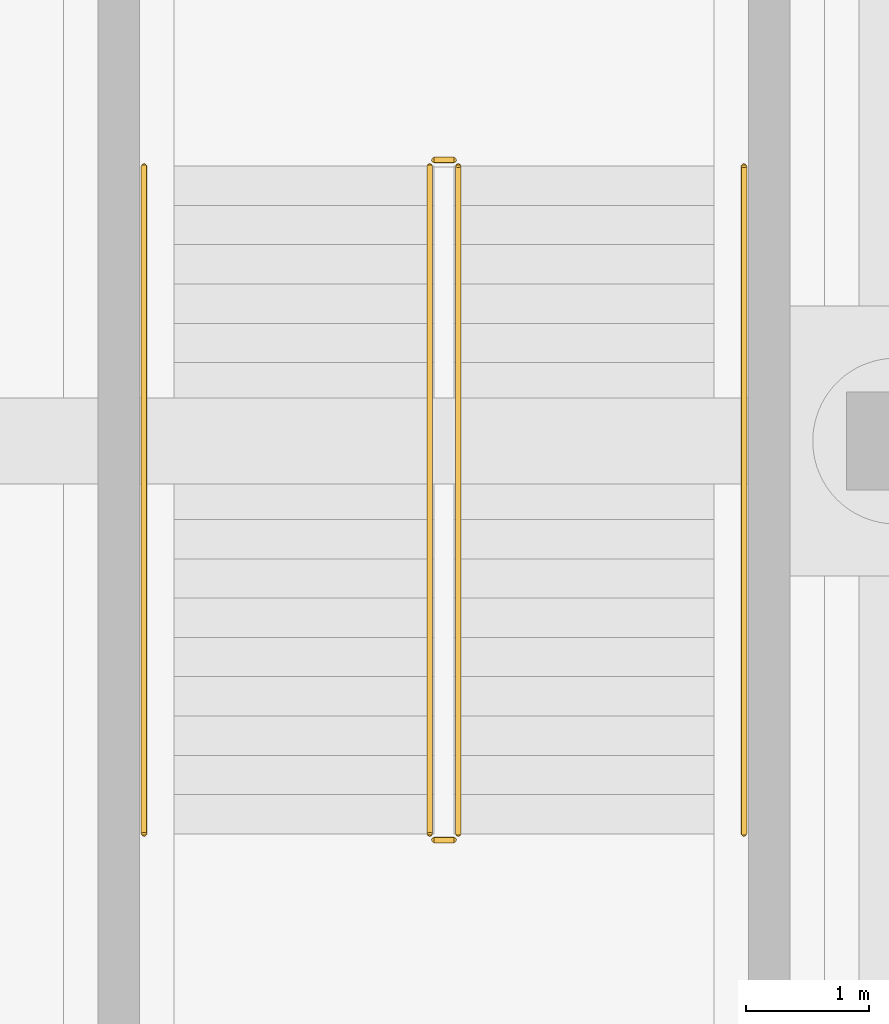
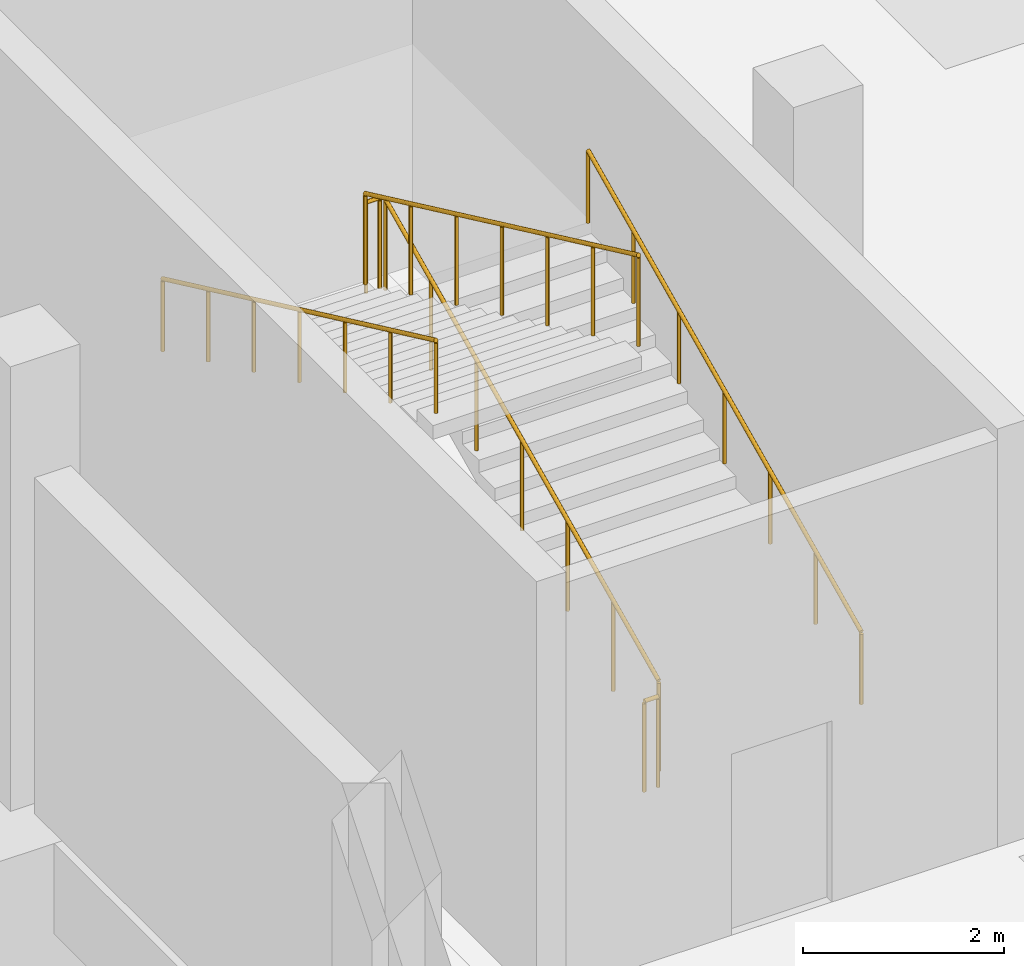
# One storey, part 34 of 39: 6 railings.
"""IFC4 building model written with IfcOpenShell, lengths in metres."""

from ifc_helpers import new_model, si_unit, direction, frame, origin, origin_2d, place, context, subcontext, project, spatial, circle, extrude, material, layer, layer_set, type_object, element, save


model = new_model("IFC4")

# Units and contexts
model_context = context("Model", 3, precision=1e-05, world=origin(), true_north=direction((0.0, 1.0)))
body_context = subcontext(model_context, "Body", "Model", "MODEL_VIEW")
ifc_project = project(units=[si_unit("LENGTHUNIT", "METRE"), si_unit("AREAUNIT", "SQUARE_METRE"), si_unit("VOLUMEUNIT", "CUBIC_METRE"), si_unit("PLANEANGLEUNIT", "RADIAN"), si_unit("MASSUNIT", "GRAM", prefix="KILO")], contexts=[model_context])

# Site, building, storey
site_placement = place(None, origin())
site = spatial("IfcSite", under=ifc_project, at=site_placement, CompositionType="ELEMENT")
building_placement = place(site_placement, origin())
building = spatial("IfcBuilding", under=site, at=building_placement, Name="Celestram Park Convention Centre", CompositionType="ELEMENT")
storey_placement = place(building_placement, frame((0.0, 0.0, -5.39990234375)))
storey = spatial("IfcBuildingStorey", under=building, at=storey_placement, Name="B1", CompositionType="ELEMENT", Elevation=-5.39990234375)

# Railings
ifc_material_1 = material(Name="Stainless Steel AISI 316L & Laminated Glass", Category="steel")
ifc_layer_1 = layer(ifc_material_1, 0.06005859375)
ifc_layer_set_1 = layer_set([ifc_layer_1], Name="Stainless Steel AISI 316L & Laminated Glass")
railing_type_1 = type_object("IfcRailingType", Name="ARC-RL-GRD1120", PredefinedType="GUARDRAIL", material=ifc_layer_set_1)
railing_1_placement = place(storey_placement, frame((149.43603515625, 18.39990234375, 0.14990234375)))
element("IfcRailing", 1, at=railing_1_placement, inside=storey, type_object=railing_type_1, Name="B1 ST-06 stair guard 1", PredefinedType="GUARDRAIL", context=body_context, shape_type="SweptSolid", body=[
    extrude(circle(Radius=0.02392578125, at=origin_2d()), frame((0.0, 0.0, 1.09619140625), z_axis=(0.0, 0.905461375974, 0.424428670827), x_axis=(-1.0, 0.0, 0.0)), (0.0, 0.0, 1.0), 6.00830078125),
    extrude(circle(Radius=0.02099609375, at=origin_2d()), origin(), (0.0, 0.0, 1.0), 1.072021484375),
    extrude(circle(Radius=0.02099609375, at=origin_2d()), frame((0.0, 0.90673828125, 0.425048828125)), (0.0, 0.0, 1.0), 1.072021484375),
    extrude(circle(Radius=0.02099609375, at=origin_2d()), frame((0.0, 1.8134765625, 0.85009765625)), (0.0, 0.0, 1.0), 1.072021484375),
    extrude(circle(Radius=0.02099609375, at=origin_2d()), frame((0.0, 2.72021484375, 1.27490234375)), (0.0, 0.0, 1.0), 1.072021484375),
    extrude(circle(Radius=0.02099609375, at=origin_2d()), frame((0.0, 3.626708984375, 1.699951171875)), (0.0, 0.0, 1.0), 1.072021484375),
    extrude(circle(Radius=0.02099609375, at=origin_2d()), frame((0.0, 4.533447265625, 2.125)), (0.0, 0.0, 1.0), 1.072021484375),
    extrude(circle(Radius=0.02099609375, at=origin_2d()), frame((0.0, 5.440185546875, 2.550048828125)), (0.0, 0.0, 1.0), 1.072021484375),
])
railing_2_placement = place(storey_placement, frame((149.39990234375, 23.889892578125, 2.699951171875)))
element("IfcRailing", 2, at=railing_2_placement, inside=storey, type_object=railing_type_1, Name="B1 ST-06 stair guard 2", PredefinedType="GUARDRAIL", context=body_context, shape_type="SweptSolid", body=[
    extrude(circle(Radius=0.02392578125, at=origin_2d()), frame((0.0, 0.0, 1.09619140625), z_axis=(-1.0, 0.0, 0.0), x_axis=(0.0, -1.0, 0.0)), (0.0, 0.0, 1.0), 0.159912109375),
    extrude(circle(Radius=0.02099609375, at=origin_2d()), origin(), (0.0, 0.0, 1.0), 1.072021484375),
    extrude(circle(Radius=0.02099609375, at=origin_2d()), frame((-0.159912109375, 0.0, 0.0)), (0.0, 0.0, 1.0), 1.072021484375),
])
railing_3_placement = place(storey_placement, frame((149.2041015625, 23.840087890625, 2.849853515625)))
element("IfcRailing", 3, at=railing_3_placement, inside=storey, type_object=railing_type_1, Name="B1 ST-06 stair guard 3", PredefinedType="GUARDRAIL", context=body_context, shape_type="SweptSolid", body=[
    extrude(circle(Radius=0.02392578125, at=origin_2d()), frame((0.0, 0.0, 1.09619140625), z_axis=(0.0, -0.905461375974, 0.424428670827), x_axis=(1.0, 0.0, 0.0)), (0.0, 0.0, 1.0), 6.00830078125),
    extrude(circle(Radius=0.02099609375, at=origin_2d()), origin(), (0.0, 0.0, 1.0), 1.072021484375),
    extrude(circle(Radius=0.02099609375, at=origin_2d()), frame((0.0, -0.90673828125, 0.425048828125)), (0.0, 0.0, 1.0), 1.072021484375),
    extrude(circle(Radius=0.02099609375, at=origin_2d()), frame((0.0, -1.8134765625, 0.85009765625)), (0.0, 0.0, 1.0), 1.072021484375),
    extrude(circle(Radius=0.02099609375, at=origin_2d()), frame((0.0, -2.72021484375, 1.27490234375)), (0.0, 0.0, 1.0), 1.072021484375),
    extrude(circle(Radius=0.02099609375, at=origin_2d()), frame((0.0, -3.626708984375, 1.699951171875)), (0.0, 0.0, 1.0), 1.072021484375),
    extrude(circle(Radius=0.02099609375, at=origin_2d()), frame((0.0, -4.533447265625, 2.125)), (0.0, 0.0, 1.0), 1.072021484375),
    extrude(circle(Radius=0.02099609375, at=origin_2d()), frame((0.0, -5.440185546875, 2.550048828125)), (0.0, 0.0, 1.0), 1.072021484375),
])
railing_4_placement = place(storey_placement, frame((149.39990234375, 18.35009765625, 0.0)))
element("IfcRailing", 4, at=railing_4_placement, inside=storey, type_object=railing_type_1, Name="B1 ST-06 stair guard 4", PredefinedType="GUARDRAIL", context=body_context, shape_type="SweptSolid", body=[
    extrude(circle(Radius=0.02392578125, at=origin_2d()), frame((0.0, 0.0, 1.09619140625), z_axis=(-1.0, 0.0, 0.0), x_axis=(0.0, -1.0, 0.0)), (0.0, 0.0, 1.0), 0.159912109375),
    extrude(circle(Radius=0.02099609375, at=origin_2d()), origin(), (0.0, 0.0, 1.0), 1.072021484375),
    extrude(circle(Radius=0.02099609375, at=origin_2d()), frame((-0.159912109375, 0.0, 0.0)), (0.0, 0.0, 1.0), 1.072021484375),
])
ifc_material_2 = material(Name="Brushed Stainless Steel AISI 304", Category="steel")
ifc_layer_2 = layer(ifc_material_2, 0.048095703125)
ifc_layer_set_2 = layer_set([ifc_layer_2], Name="Brushed Stainless Steel AISI 304")
railing_type_2 = type_object("IfcRailingType", Name="ARC-RL-HND915", PredefinedType="HANDRAIL", material=ifc_layer_set_2)
railing_5_placement = place(storey_placement, frame((151.763916015625, 18.39990234375, 0.14990234375)))
element("IfcRailing", 5, at=railing_5_placement, inside=storey, type_object=railing_type_2, Name="B1 ST-06 stair handrail 1", PredefinedType="HANDRAIL", context=body_context, shape_type="SweptSolid", body=[
    extrude(circle(Radius=0.02392578125, at=origin_2d()), frame((0.0, 0.0, 0.8759765625), z_axis=(0.0, 0.905461375974, 0.424428670827), x_axis=(-1.0, 0.0, 0.0)), (0.0, 0.0, 1.0), 6.00830078125),
    extrude(circle(Radius=0.02099609375, at=origin_2d()), origin(), (0.0, 0.0, 1.0), 0.851806640625),
    extrude(circle(Radius=0.02099609375, at=origin_2d()), frame((0.0, 0.90673828125, 0.425048828125)), (0.0, 0.0, 1.0), 0.851806640625),
    extrude(circle(Radius=0.02099609375, at=origin_2d()), frame((0.0, 1.8134765625, 0.85009765625)), (0.0, 0.0, 1.0), 0.851806640625),
    extrude(circle(Radius=0.02099609375, at=origin_2d()), frame((0.0, 2.72021484375, 1.27490234375)), (0.0, 0.0, 1.0), 0.851806640625),
    extrude(circle(Radius=0.02099609375, at=origin_2d()), frame((0.0, 3.626708984375, 1.699951171875)), (0.0, 0.0, 1.0), 0.851806640625),
    extrude(circle(Radius=0.02099609375, at=origin_2d()), frame((0.0, 4.533447265625, 2.125)), (0.0, 0.0, 1.0), 0.851806640625),
    extrude(circle(Radius=0.02099609375, at=origin_2d()), frame((0.0, 5.440185546875, 2.550048828125)), (0.0, 0.0, 1.0), 0.851806640625),
])
railing_6_placement = place(storey_placement, frame((146.8759765625, 23.840087890625, 2.849853515625)))
element("IfcRailing", 6, at=railing_6_placement, inside=storey, type_object=railing_type_2, Name="B1 ST-06 stair handrail 2", PredefinedType="HANDRAIL", context=body_context, shape_type="SweptSolid", body=[
    extrude(circle(Radius=0.02392578125, at=origin_2d()), frame((0.0, 0.0, 0.8759765625), z_axis=(0.0, -0.905461375974, 0.424428670827), x_axis=(1.0, 0.0, 0.0)), (0.0, 0.0, 1.0), 6.00830078125),
    extrude(circle(Radius=0.02099609375, at=origin_2d()), origin(), (0.0, 0.0, 1.0), 0.851806640625),
    extrude(circle(Radius=0.02099609375, at=origin_2d()), frame((0.0, -0.90673828125, 0.425048828125)), (0.0, 0.0, 1.0), 0.851806640625),
    extrude(circle(Radius=0.02099609375, at=origin_2d()), frame((0.0, -1.8134765625, 0.85009765625)), (0.0, 0.0, 1.0), 0.851806640625),
    extrude(circle(Radius=0.02099609375, at=origin_2d()), frame((0.0, -2.72021484375, 1.27490234375)), (0.0, 0.0, 1.0), 0.851806640625),
    extrude(circle(Radius=0.02099609375, at=origin_2d()), frame((0.0, -3.626708984375, 1.699951171875)), (0.0, 0.0, 1.0), 0.851806640625),
    extrude(circle(Radius=0.02099609375, at=origin_2d()), frame((0.0, -4.533447265625, 2.125)), (0.0, 0.0, 1.0), 0.851806640625),
    extrude(circle(Radius=0.02099609375, at=origin_2d()), frame((0.0, -5.440185546875, 2.550048828125)), (0.0, 0.0, 1.0), 0.851806640625),
])

save(model, "model.ifc")
